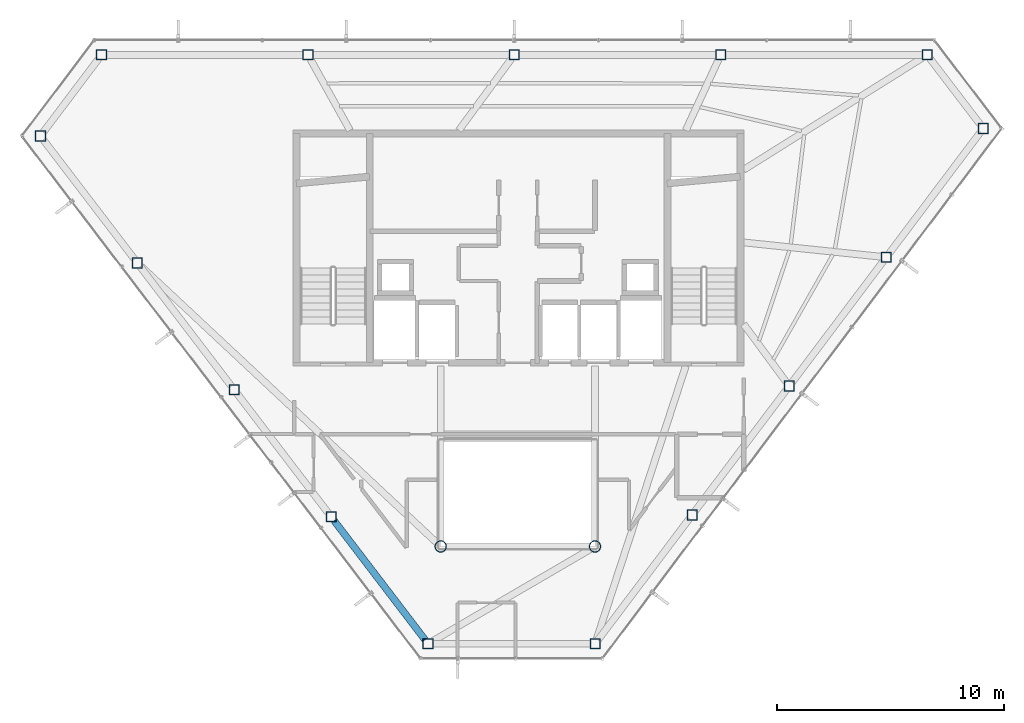
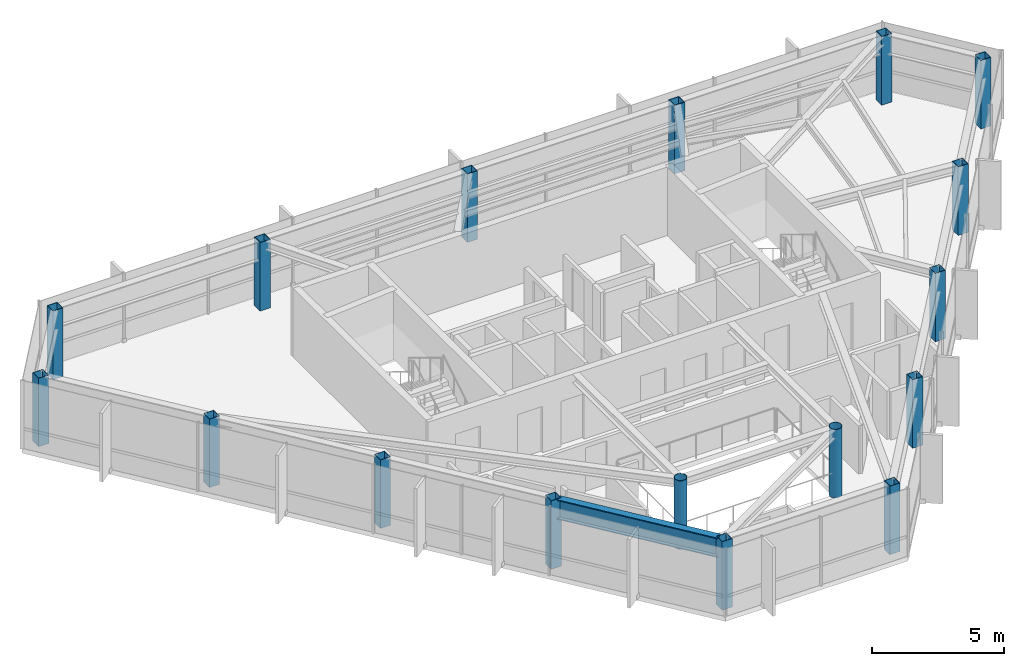
# One storey, part 1 of 22: 17 columns, 1 beam.
"""IFC4 building model written with IfcOpenShell, lengths in metres."""

import ifcopenshell
import ifcopenshell.guid

model = None  # the IFC model being written
_history = None  # IfcOwnerHistory: only IFC2X3 demands one
_inside = {}  # id of a spatial element -> (the spatial element, [elements in it])
_under = {}  # id of a project, library or spatial element -> (it, [spatial elements below it])
_declared = {}  # id of a project -> (the project, [libraries it declares])
_typed = {}  # id of a type object -> (the type object, [elements of that type])
_made_of = {}  # id of a material, layer set ... -> (it, [elements and type objects made of it])


def new_model(schema):
    """Start an empty IFC model of exactly this schema.

    Asked for "IFC4X3", IfcOpenShell would pick the latest addendum, in which some entities
    have other attributes; the version numbers below select the first issue.
    IFC2X3 requires an IfcOwnerHistory on every rooted entity: one is made here for all.
    """
    global model, _history
    if schema == "IFC4X3":
        model = ifcopenshell.file(schema_version=(4, 3, 0, 0))
    else:
        model = ifcopenshell.file(schema=schema)
    _inside.clear()
    _under.clear()
    _declared.clear()
    _typed.clear()
    _made_of.clear()
    _history = None
    if model.schema == "IFC2X3":
        org = make("IfcOrganization", Name="unknown")
        user = make(
            "IfcPersonAndOrganization",
            ThePerson=make("IfcPerson", FamilyName="unknown"),
            TheOrganization=org,
        )
        app = make(
            "IfcApplication",
            ApplicationDeveloper=org,
            Version="unknown",
            ApplicationFullName="unknown",
            ApplicationIdentifier="unknown",
        )
        _history = make(
            "IfcOwnerHistory",
            OwningUser=user,
            OwningApplication=app,
            ChangeAction="ADDED",
            CreationDate=0,
        )
    return model


def make(cls, **values):
    """One entity of the class cls with the attributes given. An attribute that is None is left unset."""
    return model.create_entity(
        cls, **{name: value for name, value in values.items() if value is not None}
    )


def rooted(cls, **values):
    """An entity with a GlobalId (a new one), such as an element, a storey or a relation."""
    return make(cls, GlobalId=ifcopenshell.guid.new(), OwnerHistory=_history, **values)


def si_unit(unit_type, name, prefix=None):
    """IfcSIUnit, for example si_unit("LENGTHUNIT", "METRE", prefix="MILLI")."""
    return make("IfcSIUnit", UnitType=unit_type, Prefix=prefix, Name=name)


def assignment(units):
    """IfcUnitAssignment: the units of a project."""
    return None if units is None else make("IfcUnitAssignment", Units=units)


def point(xyz):
    """IfcCartesianPoint."""
    return None if xyz is None else make("IfcCartesianPoint", Coordinates=xyz)


def direction(xyz):
    """IfcDirection."""
    return None if xyz is None else make("IfcDirection", DirectionRatios=xyz)


def frame(location, z_axis=None, x_axis=None):
    """IfcAxis2Placement3D, a coordinate frame: its origin and axes. An axis left out is left unset."""
    return make(
        "IfcAxis2Placement3D",
        Location=point(location),
        Axis=direction(z_axis),
        RefDirection=direction(x_axis),
    )


def frame_2d(location, x_axis=None):
    """IfcAxis2Placement2D, a coordinate frame in the plane: its origin and x axis."""
    return make(
        "IfcAxis2Placement2D", Location=point(location), RefDirection=direction(x_axis)
    )


def origin():
    """The frame at (0, 0, 0) with its axes left unset."""
    return frame((0.0, 0.0, 0.0))


def origin_2d():
    """The frame at (0, 0) in the plane with its x axis left unset."""
    return frame_2d((0.0, 0.0))


def place(relative_to, where):
    """IfcLocalPlacement: puts the frame where relative to a parent placement (None: the world)."""
    return make(
        "IfcLocalPlacement", PlacementRelTo=relative_to, RelativePlacement=where
    )


def context(
    kind, dimensions, precision=None, world=None, true_north=None, identifier=None
):
    """IfcGeometricRepresentationContext, for example the 3D "Model" context."""
    return make(
        "IfcGeometricRepresentationContext",
        ContextIdentifier=identifier,
        ContextType=kind,
        CoordinateSpaceDimension=dimensions,
        Precision=precision,
        WorldCoordinateSystem=world,
        TrueNorth=true_north,
    )


def subcontext(parent, identifier, kind, view, scale=None):
    """IfcGeometricRepresentationSubContext, for example "Body" below "Model"."""
    return make(
        "IfcGeometricRepresentationSubContext",
        ContextIdentifier=identifier,
        ContextType=kind,
        ParentContext=parent,
        TargetScale=scale,
        TargetView=view,
    )


def project(units=None, contexts=None):
    """IfcProject with its units and contexts."""
    return rooted(
        "IfcProject",
        Name="project",
        RepresentationContexts=contexts,
        UnitsInContext=assignment(units),
    )


def spatial(cls, under=None, at=None, **own):
    """A site, building, storey or space (cls), placed at a placement, below another one or the project."""
    s = rooted(cls, ObjectPlacement=at, **own)
    if under is not None:
        _under.setdefault(under.id(), (under, []))[1].append(s)
    return s


def profile(cls, at=None, kind="AREA", **sizes):
    """A parametric profile (cls). Its sizes go by their IFC names, for example OverallWidth=200.0."""
    return make(cls, ProfileType=kind, Position=at, **sizes)


def hollow_rectangle(**sizes):
    """IfcRectangleHollowProfileDef."""
    return profile("IfcRectangleHollowProfileDef", **sizes)


def hollow_circle(**sizes):
    """IfcCircleHollowProfileDef."""
    return profile("IfcCircleHollowProfileDef", **sizes)


def i_section(**sizes):
    """IfcIShapeProfileDef."""
    return profile("IfcIShapeProfileDef", **sizes)


def extrude(swept, where, along, depth):
    """IfcExtrudedAreaSolid: the profile swept, set in the frame where, extruded along a direction by depth."""
    return make(
        "IfcExtrudedAreaSolid",
        SweptArea=swept,
        Position=where,
        ExtrudedDirection=direction(along),
        Depth=depth,
    )


def shape(context_of_items, identifier, shape_type, items):
    """IfcShapeRepresentation: the items that make up one representation, for example the "Body"."""
    return make(
        "IfcShapeRepresentation",
        ContextOfItems=context_of_items,
        RepresentationIdentifier=identifier,
        RepresentationType=shape_type,
        Items=items,
    )


def material(Name=None, Category=None):
    """IfcMaterial."""
    return make("IfcMaterial", Name=Name, Category=Category)


def material_profile(
    of_material, cross_section, Name=None, Category=None, Priority=None
):
    """IfcMaterialProfile: a cross section and its material."""
    return make(
        "IfcMaterialProfile",
        Name=Name,
        Material=of_material,
        Profile=cross_section,
        Priority=Priority,
        Category=Category,
    )


def profile_set(profiles, Name=None, composite=None):
    """IfcMaterialProfileSet."""
    return make(
        "IfcMaterialProfileSet",
        Name=Name,
        MaterialProfiles=profiles,
        CompositeProfile=composite,
    )


def made_of(thing, what):
    """Note that an element or type object is made of a material, layer set ...; save() writes the relation."""
    if what is not None:
        _made_of.setdefault(what.id(), (what, []))[1].append(thing)
    return thing


def type_object(cls, material=None, **own):
    """A type object (cls), such as IfcWallType, which elements share."""
    return made_of(rooted(cls, **own), material)


def element(
    cls,
    number,
    at=None,
    inside=None,
    cuts=None,
    type_object=None,
    material=None,
    context=None,
    identifier="Body",
    shape_type=None,
    held_by="IfcProductDefinitionShape",
    body=None,
    shapes=None,
    **own,
):
    """One element of the class cls, such as IfcWall. Its Tag is "e" and its number.

    at: its placement. inside: the storey or other place that contains it. cuts: it is an
    opening in that element (IfcRelVoidsElement). A single representation is given by context,
    identifier, shape_type and body (its items); several are given by shapes. held_by: the class
    of the entity that holds the representations. save() writes the other relations.
    """
    e = rooted(cls, Tag="e%d" % number, ObjectPlacement=at, **own)
    if body is not None:
        shapes = [shape(context, identifier, shape_type, body)]
    if shapes is not None:
        e.Representation = make(held_by, Representations=shapes)
    if inside is not None:
        _inside.setdefault(inside.id(), (inside, []))[1].append(e)
    if cuts is not None:
        rooted(
            "IfcRelVoidsElement", RelatingBuildingElement=cuts, RelatedOpeningElement=e
        )
    if type_object is not None:
        _typed.setdefault(type_object.id(), (type_object, []))[1].append(e)
    return made_of(e, material)


def aggregate(whole, parts):
    """IfcRelAggregates: a whole, such as a stair, and the parts it consists of."""
    return rooted("IfcRelAggregates", RelatingObject=whole, RelatedObjects=parts)


def save(model, path):
    """Write the relations noted so far, then the file.

    IfcRelAggregates (storeys below a building ...), IfcRelContainedInSpatialStructure (elements
    in a storey), IfcRelDefinesByType, IfcRelAssociatesMaterial and IfcRelDeclares: one each for
    every whole, place, type object, material and project.
    """
    for whole, parts in _under.values():
        aggregate(whole, parts)
    for where, things in _inside.values():
        rooted(
            "IfcRelContainedInSpatialStructure",
            RelatedElements=things,
            RelatingStructure=where,
        )
    for kind, things in _typed.values():
        rooted("IfcRelDefinesByType", RelatedObjects=things, RelatingType=kind)
    for what, things in _made_of.values():
        rooted("IfcRelAssociatesMaterial", RelatedObjects=things, RelatingMaterial=what)
    for by, libraries in _declared.values():
        rooted("IfcRelDeclares", RelatingContext=by, RelatedDefinitions=libraries)
    model.write(path)


model = new_model("IFC4")

# Units and contexts
model_context = context("Model", 3, precision=1e-05, world=origin(), true_north=direction((0.0, 1.0)))
body_context = subcontext(model_context, "Body", "Model", "MODEL_VIEW")
ifc_project = project(units=[si_unit("LENGTHUNIT", "METRE"), si_unit("AREAUNIT", "SQUARE_METRE"), si_unit("VOLUMEUNIT", "CUBIC_METRE"), si_unit("PLANEANGLEUNIT", "RADIAN"), si_unit("MASSUNIT", "GRAM", prefix="KILO")], contexts=[model_context])

# Site, building, storey
site_placement = place(None, origin())
site = spatial("IfcSite", under=ifc_project, at=site_placement, CompositionType="ELEMENT")
building_placement = place(site_placement, origin())
building = spatial("IfcBuilding", under=site, at=building_placement, Name="Zarrinselat Tower", CompositionType="ELEMENT")
storey_placement = place(building_placement, frame((0.0, 0.0, 289.0)))
storey = spatial("IfcBuildingStorey", under=building, at=storey_placement, Name="L74", CompositionType="ELEMENT", Elevation=289.0)

# Columns
ifc_material_1 = material(Name="Steel S355J2", Category="steel")
ifc_material_profile_1 = material_profile(ifc_material_1, hollow_circle(Radius=0.25390625, WallThickness=0.02001953125, at=origin_2d()), Name="CHS 508x20")
ifc_profile_set_1 = profile_set([ifc_material_profile_1], Name="Steel S355J2")
column_type_1 = type_object("IfcColumnType", Name="COL-CHS508", PredefinedType="COLUMN", material=ifc_profile_set_1)
for number, where, z_axis, x_axis, name in (
    (1, (35.0, 25.199951171875, 0.0), (0.0, 0.0, 1.0), (1.0, 0.0, 0.0), "L74 Atrium Corner Column 1"),
    (2, (41.800048828125, 25.199951171875, 0.0), (0.0, 0.0, 1.0), (1.0, 0.0, 0.0), "L74 Atrium Corner Column 2"),
):
    element("IfcColumn", number, at=place(storey_placement, frame(where, z_axis=z_axis, x_axis=x_axis)), inside=storey, type_object=column_type_1, Name=name, PredefinedType="COLUMN", context=body_context, shape_type="SweptSolid", body=[
        extrude(hollow_circle(Radius=0.25390625, WallThickness=0.02001953125, at=origin_2d()), origin(), (0.0, 0.0, 1.0), 3.179931640625),
    ])
ifc_material_2 = material(Name="Steel S355J2", Category="steel")
ifc_material_profile_2 = material_profile(ifc_material_2, hollow_rectangle(XDim=0.449951171875, YDim=0.449951171875, WallThickness=0.02197265625, at=origin_2d()), Name="SHS 450x450x22")
ifc_profile_set_2 = profile_set([ifc_material_profile_2], Name="Steel S355J2")
column_type_2 = type_object("IfcColumnType", Name="COL-SHS450", PredefinedType="COLUMN", material=ifc_profile_set_2)
for number, where, z_axis, x_axis, name in (
    (3, (56.435546875, 46.86669921875, 0.0), (0.0, 0.0, 1.0), (1.0, 0.0, 0.0), "L74 Framed-Tube Column T01"),
    (4, (47.340576171875, 46.86669921875, 0.0), (0.0, 0.0, 1.0), (1.0, 0.0, 0.0), "L74 Framed-Tube Column T02"),
    (5, (38.245361328125, 46.86669921875, 0.0), (0.0, 0.0, 1.0), (1.0, 0.0, 0.0), "L74 Framed-Tube Column T03"),
    (6, (29.150390625, 46.86669921875, 0.0), (0.0, 0.0, 1.0), (1.0, 0.0, 0.0), "L74 Framed-Tube Column T04"),
    (7, (20.05517578125, 46.86669921875, 0.0), (0.0, 0.0, 1.0), (1.0, 0.0, 0.0), "L74 Framed-Tube Column T05"),
    (8, (17.361083984375, 43.2900390625, 0.0), (0.0, 0.0, 1.0), (1.0, 0.0, 0.0), "L74 Framed-Tube Column T06"),
    (9, (21.631591796875, 37.696044921875, 0.0), (0.0, 0.0, 1.0), (1.0, 0.0, 0.0), "L74 Framed-Tube Column T07"),
    (10, (25.902099609375, 32.102294921875, 0.0), (0.0, 0.0, 1.0), (1.0, 0.0, 0.0), "L74 Framed-Tube Column T08"),
    (11, (30.172607421875, 26.50830078125, 0.0), (0.0, 0.0, 1.0), (1.0, 0.0, 0.0), "L74 Framed-Tube Column T09"),
    (12, (34.443115234375, 20.914306640625, 0.0), (0.0, 0.0, 1.0), (1.0, 0.0, 0.0), "L74 Framed-Tube Column T10"),
    (13, (41.8056640625, 20.914306640625, 0.0), (0.0, 0.0, 1.0), (1.0, 0.0, 0.0), "L74 Framed-Tube Column T11"),
    (14, (46.08203125, 26.591552734375, 0.0), (0.0, 0.0, 1.0), (1.0, 0.0, 0.0), "L74 Framed-Tube Column T12"),
    (15, (50.358642578125, 32.268798828125, 0.0), (0.0, 0.0, 1.0), (1.0, 0.0, 0.0), "L74 Framed-Tube Column T13"),
    (16, (54.63525390625, 37.94580078125, 0.0), (0.0, 0.0, 1.0), (1.0, 0.0, 0.0), "L74 Framed-Tube Column T14"),
    (17, (58.91162109375, 43.623291015625, 0.0), (0.0, 0.0, 1.0), (1.0, 0.0, 0.0), "L74 Framed-Tube Column T15"),
):
    element("IfcColumn", number, at=place(storey_placement, frame(where, z_axis=z_axis, x_axis=x_axis)), inside=storey, type_object=column_type_2, Name=name, PredefinedType="COLUMN", context=body_context, shape_type="SweptSolid", body=[
        extrude(hollow_rectangle(XDim=0.449951171875, YDim=0.449951171875, WallThickness=0.02197265625, at=origin_2d()), origin(), (0.0, 0.0, 1.0), 3.179931640625),
    ])

# Beam
ifc_material_3 = material(Name="Steel S460M", Category="steel")
ifc_material_profile_3 = material_profile(ifc_material_3, i_section(OverallWidth=0.302001953125, OverallDepth=0.909912109375, WebThickness=0.02099609375, FlangeThickness=0.0400390625, at=origin_2d()), Name="HEM 900")
ifc_profile_set_3 = profile_set([ifc_material_profile_3], Name="Steel S460M")
beam_type = type_object("IfcBeamType", Name="BM-HEM900", PredefinedType="BEAM", material=ifc_profile_set_3)
beam_placement = place(storey_placement, frame((30.3017578125, 26.3388671875, 2.72509765625), z_axis=(0.606819456319, -0.794839699205, 0.0), x_axis=(0.794839699205, 0.606819456319, 0.0)))
element("IfcBeam", 18, at=beam_placement, inside=storey, type_object=beam_type, Name="L74 Perimeter Spandrel Girder SP09", PredefinedType="BEAM", context=body_context, shape_type="SweptSolid", body=[
    extrude(i_section(OverallWidth=0.302001953125, OverallDepth=0.909912109375, WebThickness=0.02099609375, FlangeThickness=0.0400390625, at=origin_2d()), origin(), (0.0, 0.0, 1.0), 6.61181640625),
])

save(model, "model.ifc")
